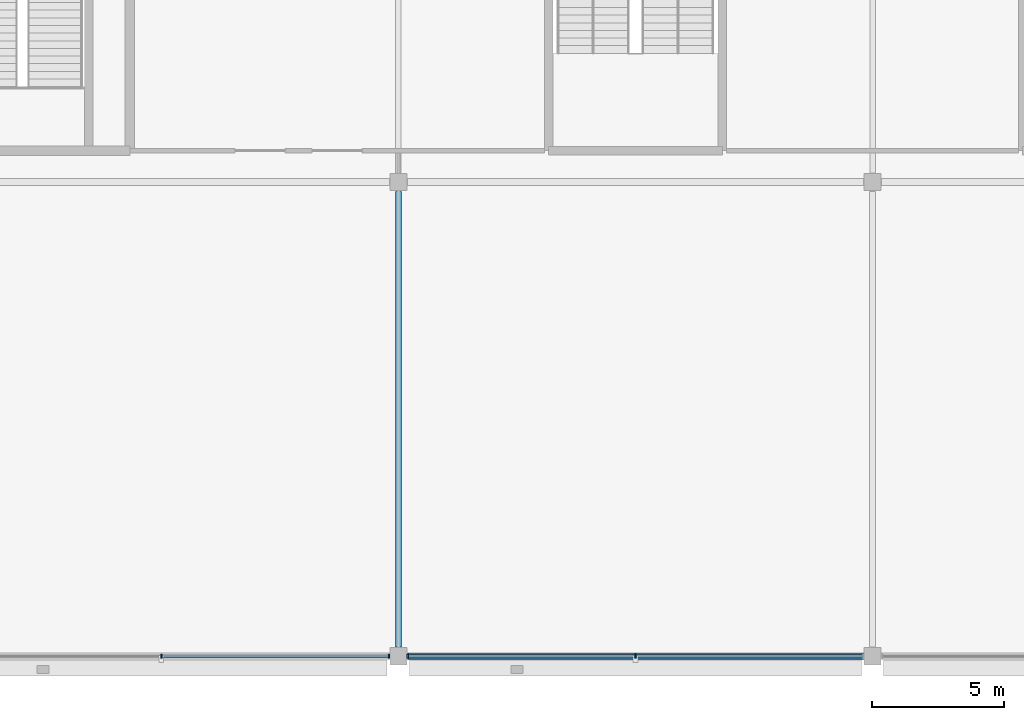
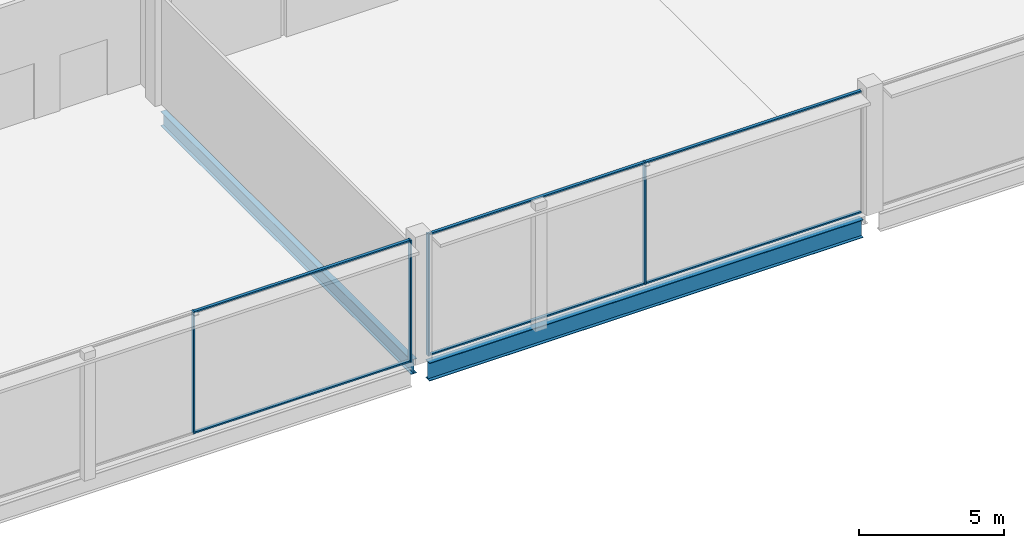
# One storey, part 19 of 113: 10 members, 2 beams, 2 elements without a shape of their own.
"""IFC4 building model written with IfcOpenShell, lengths in metres."""

import ifcopenshell
import ifcopenshell.guid

model = None  # the IFC model being written
_history = None  # IfcOwnerHistory: only IFC2X3 demands one
_inside = {}  # id of a spatial element -> (the spatial element, [elements in it])
_under = {}  # id of a project, library or spatial element -> (it, [spatial elements below it])
_declared = {}  # id of a project -> (the project, [libraries it declares])
_typed = {}  # id of a type object -> (the type object, [elements of that type])
_made_of = {}  # id of a material, layer set ... -> (it, [elements and type objects made of it])


def new_model(schema):
    """Start an empty IFC model of exactly this schema.

    Asked for "IFC4X3", IfcOpenShell would pick the latest addendum, in which some entities
    have other attributes; the version numbers below select the first issue.
    IFC2X3 requires an IfcOwnerHistory on every rooted entity: one is made here for all.
    """
    global model, _history
    if schema == "IFC4X3":
        model = ifcopenshell.file(schema_version=(4, 3, 0, 0))
    else:
        model = ifcopenshell.file(schema=schema)
    _inside.clear()
    _under.clear()
    _declared.clear()
    _typed.clear()
    _made_of.clear()
    _history = None
    if model.schema == "IFC2X3":
        org = make("IfcOrganization", Name="unknown")
        user = make(
            "IfcPersonAndOrganization",
            ThePerson=make("IfcPerson", FamilyName="unknown"),
            TheOrganization=org,
        )
        app = make(
            "IfcApplication",
            ApplicationDeveloper=org,
            Version="unknown",
            ApplicationFullName="unknown",
            ApplicationIdentifier="unknown",
        )
        _history = make(
            "IfcOwnerHistory",
            OwningUser=user,
            OwningApplication=app,
            ChangeAction="ADDED",
            CreationDate=0,
        )
    return model


def make(cls, **values):
    """One entity of the class cls with the attributes given. An attribute that is None is left unset."""
    return model.create_entity(
        cls, **{name: value for name, value in values.items() if value is not None}
    )


def rooted(cls, **values):
    """An entity with a GlobalId (a new one), such as an element, a storey or a relation."""
    return make(cls, GlobalId=ifcopenshell.guid.new(), OwnerHistory=_history, **values)


def si_unit(unit_type, name, prefix=None):
    """IfcSIUnit, for example si_unit("LENGTHUNIT", "METRE", prefix="MILLI")."""
    return make("IfcSIUnit", UnitType=unit_type, Prefix=prefix, Name=name)


def assignment(units):
    """IfcUnitAssignment: the units of a project."""
    return None if units is None else make("IfcUnitAssignment", Units=units)


def point(xyz):
    """IfcCartesianPoint."""
    return None if xyz is None else make("IfcCartesianPoint", Coordinates=xyz)


def direction(xyz):
    """IfcDirection."""
    return None if xyz is None else make("IfcDirection", DirectionRatios=xyz)


def frame(location, z_axis=None, x_axis=None):
    """IfcAxis2Placement3D, a coordinate frame: its origin and axes. An axis left out is left unset."""
    return make(
        "IfcAxis2Placement3D",
        Location=point(location),
        Axis=direction(z_axis),
        RefDirection=direction(x_axis),
    )


def frame_2d(location, x_axis=None):
    """IfcAxis2Placement2D, a coordinate frame in the plane: its origin and x axis."""
    return make(
        "IfcAxis2Placement2D", Location=point(location), RefDirection=direction(x_axis)
    )


def origin():
    """The frame at (0, 0, 0) with its axes left unset."""
    return frame((0.0, 0.0, 0.0))


def origin_2d():
    """The frame at (0, 0) in the plane with its x axis left unset."""
    return frame_2d((0.0, 0.0))


def place(relative_to, where):
    """IfcLocalPlacement: puts the frame where relative to a parent placement (None: the world)."""
    return make(
        "IfcLocalPlacement", PlacementRelTo=relative_to, RelativePlacement=where
    )


def context(
    kind, dimensions, precision=None, world=None, true_north=None, identifier=None
):
    """IfcGeometricRepresentationContext, for example the 3D "Model" context."""
    return make(
        "IfcGeometricRepresentationContext",
        ContextIdentifier=identifier,
        ContextType=kind,
        CoordinateSpaceDimension=dimensions,
        Precision=precision,
        WorldCoordinateSystem=world,
        TrueNorth=true_north,
    )


def subcontext(parent, identifier, kind, view, scale=None):
    """IfcGeometricRepresentationSubContext, for example "Body" below "Model"."""
    return make(
        "IfcGeometricRepresentationSubContext",
        ContextIdentifier=identifier,
        ContextType=kind,
        ParentContext=parent,
        TargetScale=scale,
        TargetView=view,
    )


def project(units=None, contexts=None):
    """IfcProject with its units and contexts."""
    return rooted(
        "IfcProject",
        Name="project",
        RepresentationContexts=contexts,
        UnitsInContext=assignment(units),
    )


def spatial(cls, under=None, at=None, **own):
    """A site, building, storey or space (cls), placed at a placement, below another one or the project."""
    s = rooted(cls, ObjectPlacement=at, **own)
    if under is not None:
        _under.setdefault(under.id(), (under, []))[1].append(s)
    return s


def profile(cls, at=None, kind="AREA", **sizes):
    """A parametric profile (cls). Its sizes go by their IFC names, for example OverallWidth=200.0."""
    return make(cls, ProfileType=kind, Position=at, **sizes)


def rectangle(**sizes):
    """IfcRectangleProfileDef."""
    return profile("IfcRectangleProfileDef", **sizes)


def i_section(**sizes):
    """IfcIShapeProfileDef."""
    return profile("IfcIShapeProfileDef", **sizes)


def extrude(swept, where, along, depth):
    """IfcExtrudedAreaSolid: the profile swept, set in the frame where, extruded along a direction by depth."""
    return make(
        "IfcExtrudedAreaSolid",
        SweptArea=swept,
        Position=where,
        ExtrudedDirection=direction(along),
        Depth=depth,
    )


def shape(context_of_items, identifier, shape_type, items):
    """IfcShapeRepresentation: the items that make up one representation, for example the "Body"."""
    return make(
        "IfcShapeRepresentation",
        ContextOfItems=context_of_items,
        RepresentationIdentifier=identifier,
        RepresentationType=shape_type,
        Items=items,
    )


def material(Name=None, Category=None):
    """IfcMaterial."""
    return make("IfcMaterial", Name=Name, Category=Category)


def layer(
    of_material, thickness, ventilated=None, Name=None, Category=None, Priority=None
):
    """IfcMaterialLayer: one layer of a wall or slab, of a material (None: an air gap)."""
    return make(
        "IfcMaterialLayer",
        Material=of_material,
        LayerThickness=thickness,
        IsVentilated=ventilated,
        Name=Name,
        Category=Category,
        Priority=Priority,
    )


def layer_set(layers, Name=None):
    """IfcMaterialLayerSet."""
    return make("IfcMaterialLayerSet", MaterialLayers=layers, LayerSetName=Name)


def material_profile(
    of_material, cross_section, Name=None, Category=None, Priority=None
):
    """IfcMaterialProfile: a cross section and its material."""
    return make(
        "IfcMaterialProfile",
        Name=Name,
        Material=of_material,
        Profile=cross_section,
        Priority=Priority,
        Category=Category,
    )


def profile_set(profiles, Name=None, composite=None):
    """IfcMaterialProfileSet."""
    return make(
        "IfcMaterialProfileSet",
        Name=Name,
        MaterialProfiles=profiles,
        CompositeProfile=composite,
    )


def made_of(thing, what):
    """Note that an element or type object is made of a material, layer set ...; save() writes the relation."""
    if what is not None:
        _made_of.setdefault(what.id(), (what, []))[1].append(thing)
    return thing


def type_object(cls, material=None, **own):
    """A type object (cls), such as IfcWallType, which elements share."""
    return made_of(rooted(cls, **own), material)


def element(
    cls,
    number,
    at=None,
    inside=None,
    cuts=None,
    type_object=None,
    material=None,
    context=None,
    identifier="Body",
    shape_type=None,
    held_by="IfcProductDefinitionShape",
    body=None,
    shapes=None,
    **own,
):
    """One element of the class cls, such as IfcWall. Its Tag is "e" and its number.

    at: its placement. inside: the storey or other place that contains it. cuts: it is an
    opening in that element (IfcRelVoidsElement). A single representation is given by context,
    identifier, shape_type and body (its items); several are given by shapes. held_by: the class
    of the entity that holds the representations. save() writes the other relations.
    """
    e = rooted(cls, Tag="e%d" % number, ObjectPlacement=at, **own)
    if body is not None:
        shapes = [shape(context, identifier, shape_type, body)]
    if shapes is not None:
        e.Representation = make(held_by, Representations=shapes)
    if inside is not None:
        _inside.setdefault(inside.id(), (inside, []))[1].append(e)
    if cuts is not None:
        rooted(
            "IfcRelVoidsElement", RelatingBuildingElement=cuts, RelatedOpeningElement=e
        )
    if type_object is not None:
        _typed.setdefault(type_object.id(), (type_object, []))[1].append(e)
    return made_of(e, material)


def aggregate(whole, parts):
    """IfcRelAggregates: a whole, such as a stair, and the parts it consists of."""
    return rooted("IfcRelAggregates", RelatingObject=whole, RelatedObjects=parts)


def save(model, path):
    """Write the relations noted so far, then the file.

    IfcRelAggregates (storeys below a building ...), IfcRelContainedInSpatialStructure (elements
    in a storey), IfcRelDefinesByType, IfcRelAssociatesMaterial and IfcRelDeclares: one each for
    every whole, place, type object, material and project.
    """
    for whole, parts in _under.values():
        aggregate(whole, parts)
    for where, things in _inside.values():
        rooted(
            "IfcRelContainedInSpatialStructure",
            RelatedElements=things,
            RelatingStructure=where,
        )
    for kind, things in _typed.values():
        rooted("IfcRelDefinesByType", RelatedObjects=things, RelatingType=kind)
    for what, things in _made_of.values():
        rooted("IfcRelAssociatesMaterial", RelatedObjects=things, RelatingMaterial=what)
    for by, libraries in _declared.values():
        rooted("IfcRelDeclares", RelatingContext=by, RelatedDefinitions=libraries)
    model.write(path)


model = new_model("IFC4")

# Units and contexts
model_context = context("Model", 3, precision=1e-05, world=origin(), true_north=direction((0.0, 1.0)))
body_context = subcontext(model_context, "Body", "Model", "MODEL_VIEW")
ifc_project = project(units=[si_unit("LENGTHUNIT", "METRE"), si_unit("AREAUNIT", "SQUARE_METRE"), si_unit("VOLUMEUNIT", "CUBIC_METRE"), si_unit("PLANEANGLEUNIT", "RADIAN"), si_unit("MASSUNIT", "GRAM", prefix="KILO")], contexts=[model_context])

# Site, building, storey
site_placement = place(None, origin())
site = spatial("IfcSite", under=ifc_project, at=site_placement, CompositionType="ELEMENT")
building_placement = place(site_placement, origin())
building = spatial("IfcBuilding", under=site, at=building_placement, Name="Kisiwana Market Hall", CompositionType="ELEMENT")
storey_placement = place(building_placement, frame((0.0, 0.0, 6.0)))
storey = spatial("IfcBuildingStorey", under=building, at=storey_placement, Name="L01", CompositionType="ELEMENT", Elevation=6.0)

# Beams
ifc_material_1 = material(Name="Steel S355", Category="steel")
ifc_material_profile_1 = material_profile(ifc_material_1, i_section(OverallWidth=0.22900390625, OverallDepth=0.6123046875, WebThickness=0.011962890625, FlangeThickness=0.01953125, at=origin_2d()), Name="UB 610x229x125")
ifc_profile_set_1 = profile_set([ifc_material_profile_1], Name="Steel S355")
beam_type_1 = type_object("IfcBeamType", Name="BM-GIRD-UB610H", PredefinedType="BEAM", material=ifc_profile_set_1)
beam_1_placement = place(storey_placement, frame((81.0, 0.345947265625, -0.55615234375), z_axis=(0.0, 1.0, 0.0), x_axis=(-1.0, 0.0, 0.0)))
element("IfcBeam", 1, at=beam_1_placement, inside=storey, type_object=beam_type_1, Name="Primary girder B-0367", PredefinedType="BEAM", context=body_context, shape_type="SweptSolid", body=[
    extrude(i_section(OverallWidth=0.22900390625, OverallDepth=0.6123046875, WebThickness=0.011962890625, FlangeThickness=0.01953125, at=origin_2d()), origin(), (0.0, 0.0, 1.0), 17.30810546875),
])
ifc_material_2 = material(Name="Steel S355", Category="steel")
ifc_material_profile_2 = material_profile(ifc_material_2, i_section(OverallWidth=0.2666015625, OverallDepth=0.76220703125, WebThickness=0.014404296875, FlangeThickness=0.021484375, at=origin_2d()), Name="UB 762x267x173")
ifc_profile_set_2 = profile_set([ifc_material_profile_2], Name="Steel S355")
beam_type_2 = type_object("IfcBeamType", Name="BM-GIRD-UB762", PredefinedType="BEAM", material=ifc_profile_set_2)
beam_2_placement = place(storey_placement, frame((81.345947265625, 0.0, -0.631103515625), z_axis=(1.0, 0.0, 0.0), x_axis=(0.0, 1.0, 0.0)))
element("IfcBeam", 2, at=beam_2_placement, inside=storey, type_object=beam_type_2, Name="Floor beam B-0455", PredefinedType="BEAM", context=body_context, shape_type="SweptSolid", body=[
    extrude(i_section(OverallWidth=0.2666015625, OverallDepth=0.76220703125, WebThickness=0.014404296875, FlangeThickness=0.021484375, at=origin_2d()), origin(), (0.0, 0.0, 1.0), 17.30810546875),
])

# Curtain wall, members
ifc_material_3 = material(Name="Double-glazed solar-control low-E IGU", Category="glass")
ifc_layer = layer(ifc_material_3, 0.159912109375)
ifc_layer_set = layer_set([ifc_layer], Name="CW-FC-S-7600")
curtain_wall_type = type_object("IfcCurtainWallType", Name="CW-FC-S-7600", PredefinedType="USERDEFINED", material=ifc_layer_set)
curtain_wall_1_placement = place(storey_placement, origin())
curtain_wall_1 = element("IfcCurtainWall", 3, at=curtain_wall_1_placement, inside=storey, type_object=curtain_wall_type, Name="Unitised curtain wall CW-009 (L01)", ObjectType="UNITISED CURTAIN WALL", PredefinedType="USERDEFINED")
ifc_material_4 = material(Name="Aluminium alloy 6063-T6", Category="aluminium")
ifc_material_profile_3 = material_profile(ifc_material_4, rectangle(XDim=0.06005859375, YDim=0.159912109375, at=origin_2d()), Name="ALU MULLION 60x160")
ifc_profile_set_3 = profile_set([ifc_material_profile_3], Name="Aluminium alloy 6063-T6")
member_type_1 = type_object("IfcMemberType", Name="CW-MULL-60x160", PredefinedType="MULLION", material=ifc_profile_set_3)
member_1_placement = place(storey_placement, frame((72.0, 0.0, 0.0), z_axis=(0.0, 0.0, 1.0), x_axis=(1.0, 0.0, 0.0)))
member_1 = element("IfcMember", 4, at=member_1_placement, type_object=member_type_1, Name="CW-009 mullion 2", PredefinedType="MULLION", context=body_context, shape_type="SweptSolid", body=[
    extrude(rectangle(XDim=0.06005859375, YDim=0.159912109375, at=origin_2d()), origin(), (0.0, 0.0, 1.0), 5.14990234375),
])
member_2_placement = place(storey_placement, frame((80.64501953125, 0.0, 0.0), z_axis=(0.0, 0.0, 1.0), x_axis=(1.0, 0.0, 0.0)))
member_2 = element("IfcMember", 5, at=member_2_placement, type_object=member_type_1, Name="CW-009 mullion 3", PredefinedType="MULLION", context=body_context, shape_type="SweptSolid", body=[
    extrude(rectangle(XDim=0.06005859375, YDim=0.159912109375, at=origin_2d()), origin(), (0.0, 0.0, 1.0), 5.14990234375),
])

curtain_wall_2_placement = place(storey_placement, origin())
curtain_wall_2 = element("IfcCurtainWall", 6, at=curtain_wall_2_placement, inside=storey, type_object=curtain_wall_type, Name="Unitised curtain wall CW-010 (L01)", ObjectType="UNITISED CURTAIN WALL", PredefinedType="USERDEFINED")
member_3_placement = place(storey_placement, frame((81.35498046875, 0.0, 0.0), z_axis=(0.0, 0.0, 1.0), x_axis=(1.0, 0.0, 0.0)))
member_3 = element("IfcMember", 7, at=member_3_placement, type_object=member_type_1, Name="CW-010 mullion 1", PredefinedType="MULLION", context=body_context, shape_type="SweptSolid", body=[
    extrude(rectangle(XDim=0.06005859375, YDim=0.159912109375, at=origin_2d()), origin(), (0.0, 0.0, 1.0), 5.14990234375),
])
member_4_placement = place(storey_placement, frame((90.0, 0.0, 0.0), z_axis=(0.0, 0.0, 1.0), x_axis=(1.0, 0.0, 0.0)))
member_4 = element("IfcMember", 8, at=member_4_placement, type_object=member_type_1, Name="CW-010 mullion 2", PredefinedType="MULLION", context=body_context, shape_type="SweptSolid", body=[
    extrude(rectangle(XDim=0.06005859375, YDim=0.159912109375, at=origin_2d()), origin(), (0.0, 0.0, 1.0), 5.14990234375),
])

# Member
ifc_material_5 = material(Name="Aluminium alloy 6063-T6", Category="aluminium")
ifc_material_profile_4 = material_profile(ifc_material_5, rectangle(XDim=0.1201171875, YDim=0.06005859375, at=origin_2d()), Name="ALU TRANSOM 60x120")
ifc_profile_set_4 = profile_set([ifc_material_profile_4], Name="Aluminium alloy 6063-T6")
member_type_2 = type_object("IfcMemberType", Name="CW-TRAN-60x120", PredefinedType="USERDEFINED", material=ifc_profile_set_4)
member_5_placement = place(storey_placement, frame((72.030029296875, 0.0, 0.030029296875), z_axis=(1.0, 0.0, 0.0), x_axis=(0.0, 1.0, 0.0)))
member_5 = element("IfcMember", 9, at=member_5_placement, type_object=member_type_2, Name="CW-009 transom 2.1", ObjectType="TRANSOM", PredefinedType="USERDEFINED", context=body_context, shape_type="SweptSolid", body=[
    extrude(rectangle(XDim=0.1201171875, YDim=0.06005859375, at=origin_2d()), origin(), (0.0, 0.0, 1.0), 8.5849609375),
])

member_6_placement = place(storey_placement, frame((72.030029296875, 0.0, 5.1201171875), z_axis=(1.0, 0.0, 0.0), x_axis=(0.0, 1.0, 0.0)))
member_6 = element("IfcMember", 10, at=member_6_placement, type_object=member_type_2, Name="CW-009 transom 2.2", ObjectType="TRANSOM", PredefinedType="USERDEFINED", context=body_context, shape_type="SweptSolid", body=[
    extrude(rectangle(XDim=0.1201171875, YDim=0.06005859375, at=origin_2d()), origin(), (0.0, 0.0, 1.0), 8.5849609375),
])

aggregate(curtain_wall_1, [member_1, member_2, member_5, member_6])

member_7_placement = place(storey_placement, frame((81.385009765625, 0.0, 0.030029296875), z_axis=(1.0, 0.0, 0.0), x_axis=(0.0, 1.0, 0.0)))
member_7 = element("IfcMember", 11, at=member_7_placement, type_object=member_type_2, Name="CW-010 transom 1.1", ObjectType="TRANSOM", PredefinedType="USERDEFINED", context=body_context, shape_type="SweptSolid", body=[
    extrude(rectangle(XDim=0.1201171875, YDim=0.06005859375, at=origin_2d()), origin(), (0.0, 0.0, 1.0), 8.5849609375),
])

member_8_placement = place(storey_placement, frame((81.385009765625, 0.0, 5.1201171875), z_axis=(1.0, 0.0, 0.0), x_axis=(0.0, 1.0, 0.0)))
member_8 = element("IfcMember", 12, at=member_8_placement, type_object=member_type_2, Name="CW-010 transom 1.2", ObjectType="TRANSOM", PredefinedType="USERDEFINED", context=body_context, shape_type="SweptSolid", body=[
    extrude(rectangle(XDim=0.1201171875, YDim=0.06005859375, at=origin_2d()), origin(), (0.0, 0.0, 1.0), 8.5849609375),
])

member_9_placement = place(storey_placement, frame((90.030029296875, 0.0, 0.030029296875), z_axis=(1.0, 0.0, 0.0), x_axis=(0.0, 1.0, 0.0)))
member_9 = element("IfcMember", 13, at=member_9_placement, type_object=member_type_2, Name="CW-010 transom 2.1", ObjectType="TRANSOM", PredefinedType="USERDEFINED", context=body_context, shape_type="SweptSolid", body=[
    extrude(rectangle(XDim=0.1201171875, YDim=0.06005859375, at=origin_2d()), origin(), (0.0, 0.0, 1.0), 8.5849609375),
])

member_10_placement = place(storey_placement, frame((90.030029296875, 0.0, 5.1201171875), z_axis=(1.0, 0.0, 0.0), x_axis=(0.0, 1.0, 0.0)))
member_10 = element("IfcMember", 14, at=member_10_placement, type_object=member_type_2, Name="CW-010 transom 2.2", ObjectType="TRANSOM", PredefinedType="USERDEFINED", context=body_context, shape_type="SweptSolid", body=[
    extrude(rectangle(XDim=0.1201171875, YDim=0.06005859375, at=origin_2d()), origin(), (0.0, 0.0, 1.0), 8.5849609375),
])

aggregate(curtain_wall_2, [member_3, member_4, member_7, member_8, member_9, member_10])

save(model, "model.ifc")
